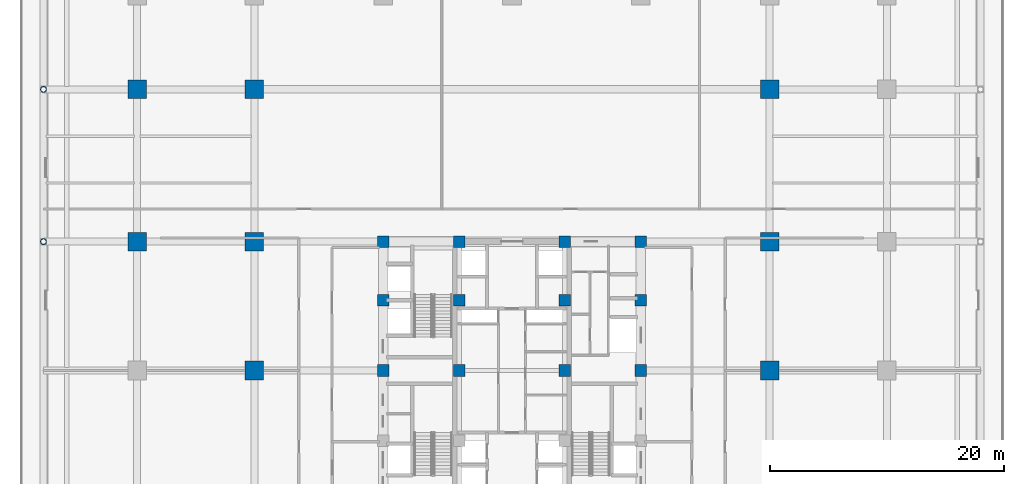
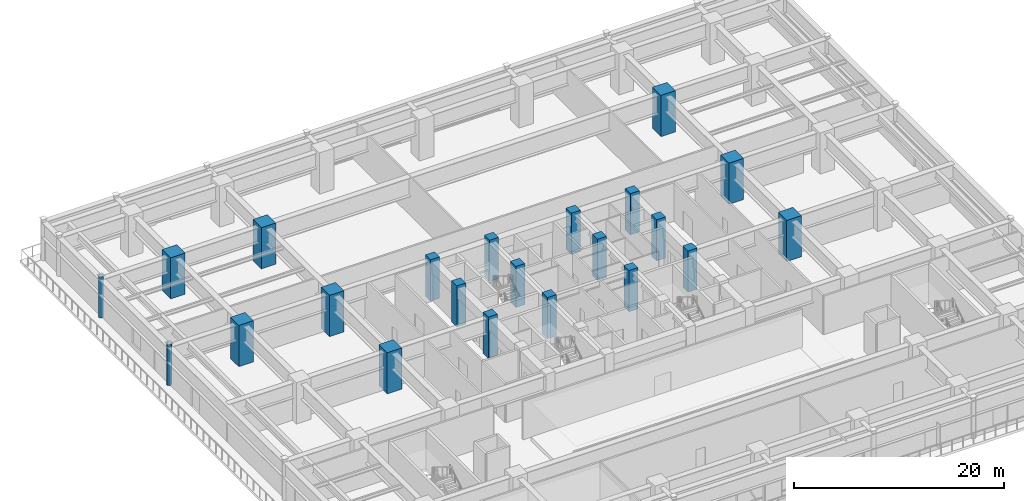
# One storey, part 3 of 38: 22 columns.
"""IFC4 building model written with IfcOpenShell, lengths in metres."""

from ifc_helpers import new_model, si_unit, direction, frame, origin, origin_2d, place, context, subcontext, project, spatial, rectangle, hollow_circle, extrude, source, transform, mapped, material, material_profile, profile_set, type_object, element, save


model = new_model("IFC4")

# Units and contexts
model_context = context("Model", 3, precision=1e-05, world=origin(), true_north=direction((0.0, 1.0)))
body_context = subcontext(model_context, "Body", "Model", "MODEL_VIEW")
ifc_project = project(units=[si_unit("LENGTHUNIT", "METRE"), si_unit("AREAUNIT", "SQUARE_METRE"), si_unit("VOLUMEUNIT", "CUBIC_METRE"), si_unit("PLANEANGLEUNIT", "RADIAN"), si_unit("MASSUNIT", "GRAM", prefix="KILO")], contexts=[model_context])

# Site, building, storey
site_placement = place(None, origin())
site = spatial("IfcSite", under=ifc_project, at=site_placement, CompositionType="ELEMENT")
building_placement = place(site_placement, origin())
building = spatial("IfcBuilding", under=site, at=building_placement, Name="Khorayat Bourse Tower", CompositionType="ELEMENT")
storey_placement = place(building_placement, frame((0.0, 0.0, 17.39990234375)))
storey = spatial("IfcBuildingStorey", under=building, at=storey_placement, Name="L03", CompositionType="ELEMENT", Elevation=17.39990234375)

# Columns
ifc_material_1 = material(Name="Concrete C72/90", Category="concrete")
ifc_material_profile_1 = material_profile(ifc_material_1, rectangle(XDim=1.60009765625, YDim=1.60009765625, at=origin_2d()), Name="RC 1600x1600")
ifc_profile_set_1 = profile_set([ifc_material_profile_1], Name="Concrete C72/90")
column_type_1 = type_object("IfcColumnType", Name="COL-MEGA-1600", PredefinedType="COLUMN", material=ifc_profile_set_1)
shared_shape_1 = source(origin(), body_context, "Body", "SweptSolid", [
    extrude(rectangle(XDim=1.60009765625, YDim=1.60009765625, at=origin_2d()), origin(), (0.0, 0.0, 1.0), 4.800048828125),
])
for number, where, z_axis, x_axis, name in (
    (1, (-32.0, 11.0, 0.0), (0.0, 0.0, 1.0), (1.0, 0.0, 0.0), "L03 Column 012"),
    (2, (-32.0, 24.0, 0.0), (0.0, 0.0, 1.0), (1.0, 0.0, 0.0), "L03 Column 013"),
    (3, (-22.0, 0.0, 0.0), (0.0, 0.0, 1.0), (1.0, 0.0, 0.0), "L03 Column 020"),
    (4, (-22.0, 11.0, 0.0), (0.0, 0.0, 1.0), (1.0, 0.0, 0.0), "L03 Column 021"),
    (5, (-22.0, 24.0, 0.0), (0.0, 0.0, 1.0), (1.0, 0.0, 0.0), "L03 Column 022"),
    (6, (22.0, 0.0, 0.0), (0.0, 0.0, 1.0), (1.0, 0.0, 0.0), "L03 Column 059"),
    (7, (22.0, 11.0, 0.0), (0.0, 0.0, 1.0), (1.0, 0.0, 0.0), "L03 Column 060"),
    (8, (22.0, 24.0, 0.0), (0.0, 0.0, 1.0), (1.0, 0.0, 0.0), "L03 Column 061"),
):
    element("IfcColumn", number, at=place(storey_placement, frame(where, z_axis=z_axis, x_axis=x_axis)), inside=storey, type_object=column_type_1, Name=name, PredefinedType="COLUMN", context=body_context, shape_type="MappedRepresentation", body=[
        mapped(shared_shape_1, transform((0.0, 0.0, 0.0), scale=1.0)),
    ])
ifc_material_profile_2 = material_profile(ifc_material_1, rectangle(XDim=1.0, YDim=1.0, at=origin_2d()), Name="RC 1000x1000")
ifc_profile_set_2 = profile_set([ifc_material_profile_2], Name="Concrete C72/90")
column_type_2 = type_object("IfcColumnType", Name="COL-CORE-1000", PredefinedType="COLUMN", material=ifc_profile_set_2)
shared_shape_2 = source(origin(), body_context, "Body", "SweptSolid", [
    extrude(rectangle(XDim=1.0, YDim=1.0, at=origin_2d()), origin(), (0.0, 0.0, 1.0), 4.800048828125),
])
for number, where, z_axis, x_axis, name in (
    (9, (-11.0, 0.0, 0.0), (0.0, 0.0, 1.0), (1.0, 0.0, 0.0), "L03 Column 029"),
    (10, (-11.0, 6.0, 0.0), (0.0, 0.0, 1.0), (1.0, 0.0, 0.0), "L03 Column 030"),
    (11, (-11.0, 11.0, 0.0), (0.0, 0.0, 1.0), (1.0, 0.0, 0.0), "L03 Column 031"),
    (12, (-4.5, 0.0, 0.0), (0.0, 0.0, 1.0), (1.0, 0.0, 0.0), "L03 Column 036"),
    (13, (-4.5, 6.0, 0.0), (0.0, 0.0, 1.0), (1.0, 0.0, 0.0), "L03 Column 037"),
    (14, (-4.5, 11.0, 0.0), (0.0, 0.0, 1.0), (1.0, 0.0, 0.0), "L03 Column 038"),
    (15, (4.5, 0.0, 0.0), (0.0, 0.0, 1.0), (1.0, 0.0, 0.0), "L03 Column 043"),
    (16, (4.5, 6.0, 0.0), (0.0, 0.0, 1.0), (1.0, 0.0, 0.0), "L03 Column 044"),
    (17, (4.5, 11.0, 0.0), (0.0, 0.0, 1.0), (1.0, 0.0, 0.0), "L03 Column 045"),
    (18, (11.0, 0.0, 0.0), (0.0, 0.0, 1.0), (1.0, 0.0, 0.0), "L03 Column 050"),
    (19, (11.0, 6.0, 0.0), (0.0, 0.0, 1.0), (1.0, 0.0, 0.0), "L03 Column 051"),
    (20, (11.0, 11.0, 0.0), (0.0, 0.0, 1.0), (1.0, 0.0, 0.0), "L03 Column 052"),
):
    element("IfcColumn", number, at=place(storey_placement, frame(where, z_axis=z_axis, x_axis=x_axis)), inside=storey, type_object=column_type_2, Name=name, PredefinedType="COLUMN", context=body_context, shape_type="MappedRepresentation", body=[
        mapped(shared_shape_2, transform((0.0, 0.0, 0.0), scale=1.0)),
    ])
ifc_material_2 = material(Name="Steel EN 10025-2 S355J2", Category="steel")
ifc_material_profile_3 = material_profile(ifc_material_2, hollow_circle(Radius=0.25390625, WallThickness=0.02490234375, at=origin_2d()), Name="CHS 508x25")
ifc_profile_set_3 = profile_set([ifc_material_profile_3], Name="Steel EN 10025-2 S355J2")
column_type_3 = type_object("IfcColumnType", Name="COL-POD-CHS508", PredefinedType="COLUMN", material=ifc_profile_set_3)
shared_shape_3 = source(origin(), body_context, "Body", "SweptSolid", [
    extrude(hollow_circle(Radius=0.25390625, WallThickness=0.02490234375, at=origin_2d()), origin(), (0.0, 0.0, 1.0), 4.800048828125),
])
for number, where, z_axis, x_axis, name in (
    (21, (-40.0, 11.0, 0.0), (0.0, 0.0, 1.0), (1.0, 0.0, 0.0), "L03 Column 004"),
    (22, (-40.0, 24.0, 0.0), (0.0, 0.0, 1.0), (1.0, 0.0, 0.0), "L03 Column 005"),
):
    element("IfcColumn", number, at=place(storey_placement, frame(where, z_axis=z_axis, x_axis=x_axis)), inside=storey, type_object=column_type_3, Name=name, PredefinedType="COLUMN", context=body_context, shape_type="MappedRepresentation", body=[
        mapped(shared_shape_3, transform((0.0, 0.0, 0.0), scale=1.0)),
    ])

save(model, "model.ifc")
